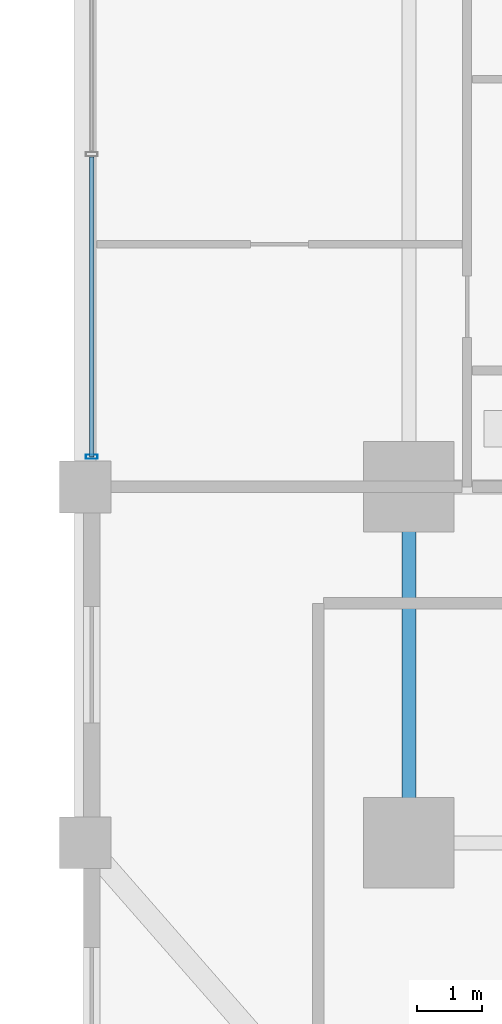
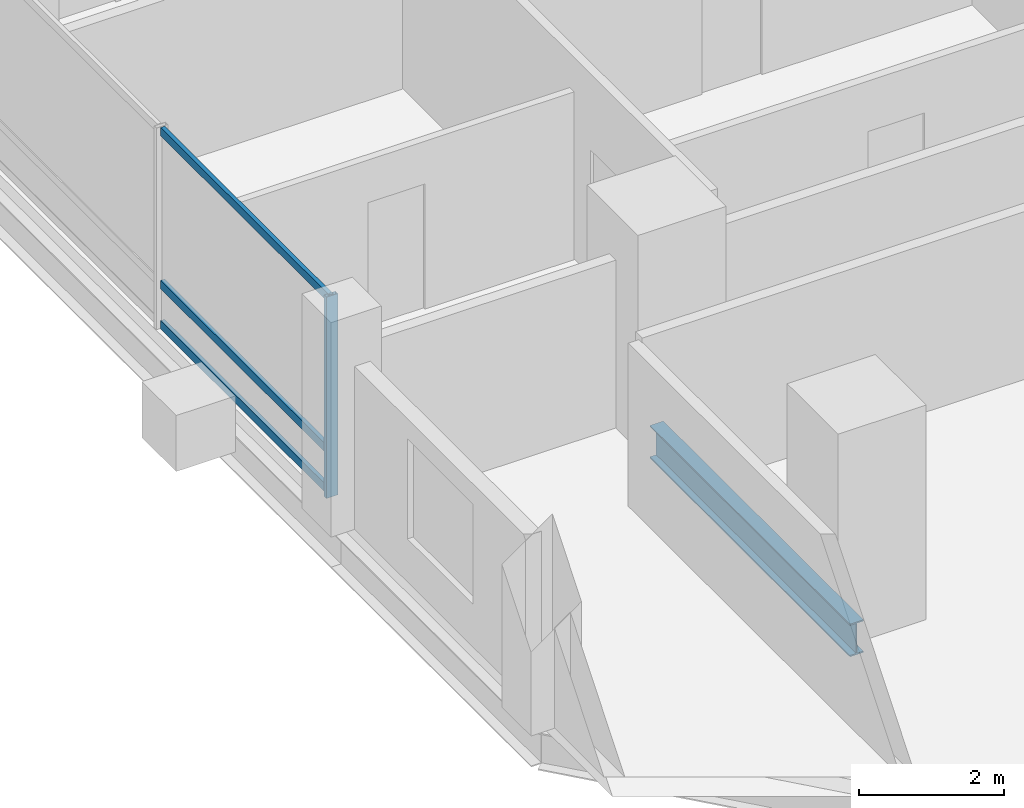
# One storey, part 4 of 23: 4 members, 1 beam, 1 element without a shape of its own.
"""IFC4 building model written with IfcOpenShell, lengths in metres."""

from ifc_helpers import new_model, si_unit, direction, frame, origin, origin_2d, place, context, subcontext, project, spatial, hollow_rectangle, i_section, extrude, material, layer, layer_set, material_profile, profile_set, type_object, element, aggregate, save


model = new_model("IFC4")

# Units and contexts
model_context = context("Model", 3, precision=1e-05, world=origin(), true_north=direction((0.0, 1.0)))
body_context = subcontext(model_context, "Body", "Model", "MODEL_VIEW")
ifc_project = project(units=[si_unit("LENGTHUNIT", "METRE"), si_unit("AREAUNIT", "SQUARE_METRE"), si_unit("VOLUMEUNIT", "CUBIC_METRE"), si_unit("PLANEANGLEUNIT", "RADIAN"), si_unit("MASSUNIT", "GRAM", prefix="KILO")], contexts=[model_context])

# Site, building, storey
site_placement = place(None, origin())
site = spatial("IfcSite", under=ifc_project, at=site_placement, CompositionType="ELEMENT")
building_placement = place(site_placement, origin())
building = spatial("IfcBuilding", under=site, at=building_placement, Name="Barlavira Tower and Art Museum", CompositionType="ELEMENT")
storey_placement = place(building_placement, frame((0.0, 0.0, 54.0)))
storey = spatial("IfcBuildingStorey", under=building, at=storey_placement, Name="L12", CompositionType="ELEMENT", Elevation=54.0)

# Curtain wall, members
ifc_material_1 = material(Name="Low-iron coastal laminated glass", Category="glass")
ifc_layer = layer(ifc_material_1, 0.179931640625, Name="Low-iron coastal laminated glass")
ifc_layer_set = layer_set([ifc_layer], Name="Low-iron coastal laminated glass")
curtain_wall_type = type_object("IfcCurtainWallType", Name="Pale-Metal Unitised Curtain Wall Zone 1", PredefinedType="NOTDEFINED", material=ifc_layer_set)
curtain_wall_placement = place(storey_placement, origin())
curtain_wall = element("IfcCurtainWall", 1, at=curtain_wall_placement, inside=storey, type_object=curtain_wall_type, Name="L12 Curtain Wall CW1-L12-W-B3", PredefinedType="NOTDEFINED")
ifc_material_2 = material(Name="Pale anodised aluminium", Category="aluminium")
ifc_material_profile_1 = material_profile(ifc_material_2, hollow_rectangle(XDim=0.06494140625, YDim=0.179931640625, WallThickness=0.00390625, at=origin_2d()), Name="ALU-MULL 65x180x4")
ifc_profile_set_1 = profile_set([ifc_material_profile_1], Name="Pale anodised aluminium")
member_type_1 = type_object("IfcMemberType", Name="Curtain Wall Pale-Metal Mullion 65x180", PredefinedType="MULLION", material=ifc_profile_set_1)
member_1_placement = place(storey_placement, frame((-21.89990234375, -7.034912109375, 0.0), z_axis=(0.0, 0.0, 1.0), x_axis=(0.0, -1.0, 0.0)))
member_1 = element("IfcMember", 2, at=member_1_placement, type_object=member_type_1, Name="CW1-L12-W-B3 Mullion 3", PredefinedType="MULLION", context=body_context, shape_type="SweptSolid", body=[
    extrude(hollow_rectangle(XDim=0.06494140625, YDim=0.179931640625, WallThickness=0.00390625, at=origin_2d()), origin(), (0.0, 0.0, 1.0), 3.3798828125),
])
ifc_material_profile_2 = material_profile(ifc_material_2, hollow_rectangle(XDim=0.06494140625, YDim=0.139892578125, WallThickness=0.00390625, at=origin_2d()), Name="ALU-TRAN 65x140x4")
ifc_profile_set_2 = profile_set([ifc_material_profile_2], Name="Pale anodised aluminium")
member_type_2 = type_object("IfcMemberType", Name="Curtain Wall Pale-Metal Transom 65x140", PredefinedType="USERDEFINED", material=ifc_profile_set_2)
member_2_placement = place(storey_placement, frame((-21.89990234375, -2.405029296875, 0.070068359375), z_axis=(0.0, -1.0, 0.0), x_axis=(1.0, 0.0, 0.0)))
member_2 = element("IfcMember", 3, at=member_2_placement, type_object=member_type_2, Name="CW1-L12-W-B3 Transom 2.1", ObjectType="TRANSOM", PredefinedType="USERDEFINED", context=body_context, shape_type="SweptSolid", body=[
    extrude(hollow_rectangle(XDim=0.06494140625, YDim=0.139892578125, WallThickness=0.00390625, at=origin_2d()), origin(), (0.0, 0.0, 1.0), 4.6298828125),
])
member_3_placement = place(storey_placement, frame((-21.89990234375, -2.405029296875, 0.743896484375), z_axis=(0.0, -1.0, 0.0), x_axis=(1.0, 0.0, 0.0)))
member_3 = element("IfcMember", 4, at=member_3_placement, type_object=member_type_2, Name="CW1-L12-W-B3 Transom 2.2", ObjectType="TRANSOM", PredefinedType="USERDEFINED", context=body_context, shape_type="SweptSolid", body=[
    extrude(hollow_rectangle(XDim=0.06494140625, YDim=0.139892578125, WallThickness=0.00390625, at=origin_2d()), origin(), (0.0, 0.0, 1.0), 4.6298828125),
])
member_4_placement = place(storey_placement, frame((-21.89990234375, -2.405029296875, 3.31005859375), z_axis=(0.0, -1.0, 0.0), x_axis=(1.0, 0.0, 0.0)))
member_4 = element("IfcMember", 5, at=member_4_placement, type_object=member_type_2, Name="CW1-L12-W-B3 Transom 2.3", ObjectType="TRANSOM", PredefinedType="USERDEFINED", context=body_context, shape_type="SweptSolid", body=[
    extrude(hollow_rectangle(XDim=0.06494140625, YDim=0.139892578125, WallThickness=0.00390625, at=origin_2d()), origin(), (0.0, 0.0, 1.0), 4.6298828125),
])
aggregate(curtain_wall, [member_1, member_2, member_3, member_4])

# Beam
ifc_material_3 = material(Name="Steel S355", Category="steel")
ifc_material_profile_3 = material_profile(ifc_material_3, i_section(OverallWidth=0.214111328125, OverallDepth=0.549072265625, WebThickness=0.0146484375, FlangeThickness=0.023681640625, at=origin_2d()), Name="W530x138.0")
ifc_profile_set_3 = profile_set([ifc_material_profile_3], Name="Steel S355")
beam_type = type_object("IfcBeamType", Name="Zone 1 Primary Floor Girder W530x138 Steel S355", PredefinedType="BEAM", material=ifc_profile_set_3)
beam_placement = place(storey_placement, frame((-17.0, -13.0, -0.494384765625), z_axis=(0.0, 1.0, 0.0), x_axis=(-1.0, 0.0, 0.0)))
element("IfcBeam", 6, at=beam_placement, inside=storey, type_object=beam_type, Name="L12 Girder M-W1", PredefinedType="BEAM", context=body_context, shape_type="SweptSolid", body=[
    extrude(i_section(OverallWidth=0.214111328125, OverallDepth=0.549072265625, WebThickness=0.0146484375, FlangeThickness=0.023681640625, at=origin_2d()), origin(), (0.0, 0.0, 1.0), 5.5),
])

save(model, "model.ifc")
